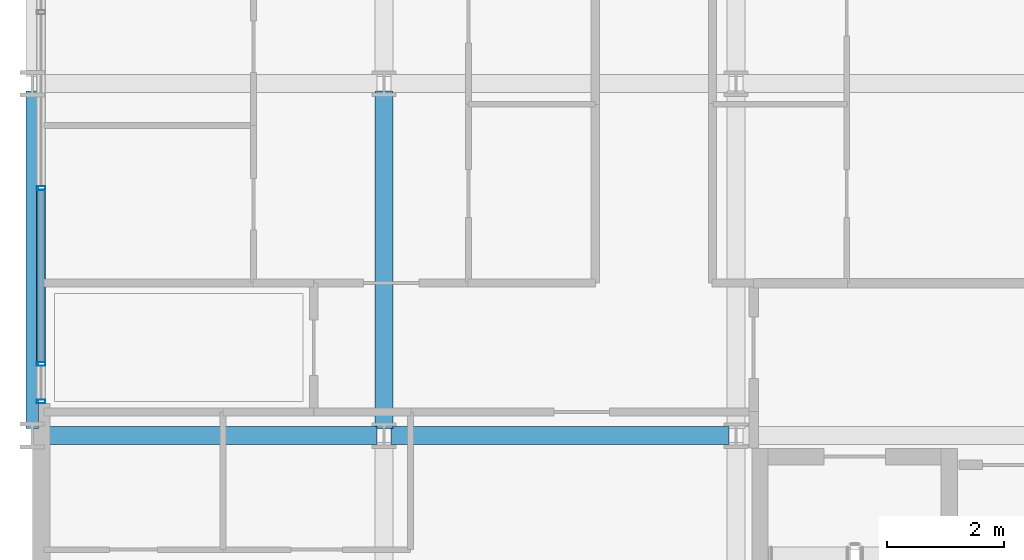
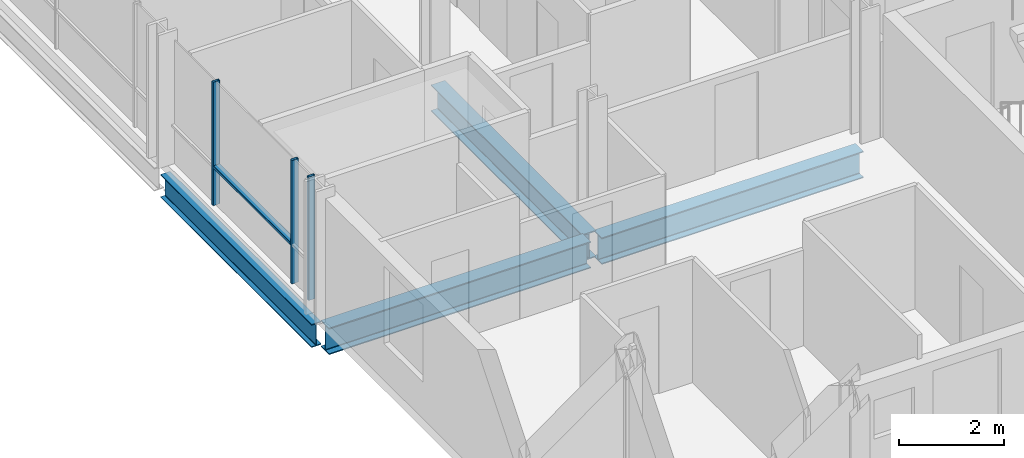
# One storey, part 2 of 41: 4 beams, 4 members, 1 element without a shape of its own.
"""IFC4 building model written with IfcOpenShell, lengths in metres."""

from ifc_helpers import new_model, si_unit, direction, frame, origin, origin_2d, place, context, subcontext, project, spatial, hollow_rectangle, i_section, extrude, material, layer, layer_set, material_profile, profile_set, type_object, element, aggregate, save


model = new_model("IFC4")

# Units and contexts
model_context = context("Model", 3, precision=1e-05, world=origin(), true_north=direction((0.0, 1.0)))
body_context = subcontext(model_context, "Body", "Model", "MODEL_VIEW")
ifc_project = project(units=[si_unit("LENGTHUNIT", "METRE"), si_unit("AREAUNIT", "SQUARE_METRE"), si_unit("VOLUMEUNIT", "CUBIC_METRE"), si_unit("PLANEANGLEUNIT", "RADIAN"), si_unit("MASSUNIT", "GRAM", prefix="KILO")], contexts=[model_context])

# Site, building, storey
site_placement = place(None, origin())
site = spatial("IfcSite", under=ifc_project, at=site_placement, CompositionType="ELEMENT")
building_placement = place(site_placement, origin())
building = spatial("IfcBuilding", under=site, at=building_placement, Name="Brevholm Reach", CompositionType="ELEMENT")
storey_placement = place(building_placement, frame((0.0, 0.0, 68.300048828125)))
storey = spatial("IfcBuildingStorey", under=building, at=storey_placement, Name="L19", CompositionType="ELEMENT", Elevation=68.300048828125)

# Beams
ifc_material_1 = material(Name="Structural Steel S355J2", Category="steel")
ifc_material_profile_1 = material_profile(ifc_material_1, i_section(OverallWidth=0.210693359375, OverallDepth=0.53955078125, WebThickness=0.01171875, FlangeThickness=0.018798828125, FilletRadius=0.0126953125, at=origin_2d()), Name="UKB 533x210x109")
ifc_profile_set_1 = profile_set([ifc_material_profile_1], Name="Structural Steel S355J2")
beam_type_1 = type_object("IfcBeamType", Name="BM-SP539", PredefinedType="SPANDREL", material=ifc_profile_set_1)
beam_placement = place(storey_placement, frame((0.0, 10.1201171875, -0.499755859375), z_axis=(0.0, 1.0, 0.0), x_axis=(-1.0, 0.0, 0.0)))
element("IfcBeam", 1, at=beam_placement, inside=storey, type_object=beam_type_1, Name="L19 SP-01B Framing Beam", PredefinedType="SPANDREL", context=body_context, shape_type="SweptSolid", body=[
    extrude(i_section(OverallWidth=0.210693359375, OverallDepth=0.53955078125, WebThickness=0.01171875, FlangeThickness=0.018798828125, FilletRadius=0.0126953125, at=origin_2d()), origin(), (0.0, 0.0, 1.0), 5.759765625),
])
ifc_material_2 = material(Name="Structural Steel S355J2", Category="steel")
ifc_material_profile_2 = material_profile(ifc_material_2, i_section(OverallWidth=0.30712890625, OverallDepth=0.6201171875, WebThickness=0.01416015625, FlangeThickness=0.023681640625, FilletRadius=0.0166015625, at=origin_2d()), Name="UKB 610x305x179")
ifc_profile_set_2 = profile_set([ifc_material_profile_2], Name="Structural Steel S355J2")
beam_type_2 = type_object("IfcBeamType", Name="BM-UKB610H", PredefinedType="USERDEFINED", material=ifc_profile_set_2)
for number, where, z_axis, x_axis, name in (
    (2, (0.1201171875, 10.0, -0.5400390625), (1.0, 0.0, 0.0), (0.0, 1.0, 0.0), "L19 G-06 Framing Beam"),
    (3, (6.1201171875, 10.0, -0.5400390625), (1.0, 0.0, 0.0), (0.0, 1.0, 0.0), "L19 G-06 Framing Beam"),
    (4, (6.0, 10.1201171875, -0.5400390625), (0.0, 1.0, 0.0), (-1.0, 0.0, 0.0), "L19 G-06 Framing Beam"),
):
    element("IfcBeam", number, at=place(storey_placement, frame(where, z_axis=z_axis, x_axis=x_axis)), inside=storey, type_object=beam_type_2, Name=name, ObjectType="GIRDER", PredefinedType="USERDEFINED", context=body_context, shape_type="SweptSolid", body=[
        extrude(i_section(OverallWidth=0.30712890625, OverallDepth=0.6201171875, WebThickness=0.01416015625, FlangeThickness=0.023681640625, FilletRadius=0.0166015625, at=origin_2d()), origin(), (0.0, 0.0, 1.0), 5.759765625),
    ])

# Curtain wall, members
ifc_material_3 = material(Name="Dark Anodised Aluminium 6063-T6 and Solar-Control Glass", Category="aluminium")
ifc_layer = layer(ifc_material_3, 0.14990234375)
ifc_layer_set = layer_set([ifc_layer], Name="Dark Anodised Aluminium 6063-T6 and Solar-Control Glass")
curtain_wall_type = type_object("IfcCurtainWallType", Name="CW-01", PredefinedType="NOTDEFINED", material=ifc_layer_set)
curtain_wall_placement = place(storey_placement, origin())
curtain_wall = element("IfcCurtainWall", 5, at=curtain_wall_placement, inside=storey, type_object=curtain_wall_type, Name="L19 Curtain Wall CW-01", PredefinedType="NOTDEFINED")
ifc_material_4 = material(Name="Dark Anodised Aluminium 6063-T6", Category="aluminium")
ifc_material_profile_3 = material_profile(ifc_material_4, hollow_rectangle(XDim=0.06494140625, YDim=0.14990234375, WallThickness=0.0048828125, InnerFilletRadius=0.0048828125, OuterFilletRadius=0.010009765625, at=origin_2d()), Name="RHS 150x65x5")
ifc_profile_set_3 = profile_set([ifc_material_profile_3], Name="Dark Anodised Aluminium 6063-T6")
member_type_1 = type_object("IfcMemberType", Name="CWM-150", PredefinedType="MULLION", material=ifc_profile_set_3)
member_1_placement = place(storey_placement, frame((0.14990234375, 14.219970703125, 0.0), z_axis=(0.0, 0.0, 1.0), x_axis=(0.0, -1.0, 0.0)))
member_1 = element("IfcMember", 6, at=member_1_placement, type_object=member_type_1, Name="CM-150 Mullion 4", PredefinedType="MULLION", context=body_context, shape_type="SweptSolid", body=[
    extrude(hollow_rectangle(XDim=0.06494140625, YDim=0.14990234375, WallThickness=0.0048828125, InnerFilletRadius=0.0048828125, OuterFilletRadius=0.010009765625, at=origin_2d()), origin(), (0.0, 0.0, 1.0), 2.869873046875),
])
member_2_placement = place(storey_placement, frame((0.14990234375, 11.219970703125, 0.0), z_axis=(0.0, 0.0, 1.0), x_axis=(0.0, -1.0, 0.0)))
member_2 = element("IfcMember", 7, at=member_2_placement, type_object=member_type_1, Name="CM-150 Mullion 5", PredefinedType="MULLION", context=body_context, shape_type="SweptSolid", body=[
    extrude(hollow_rectangle(XDim=0.06494140625, YDim=0.14990234375, WallThickness=0.0048828125, InnerFilletRadius=0.0048828125, OuterFilletRadius=0.010009765625, at=origin_2d()), origin(), (0.0, 0.0, 1.0), 2.869873046875),
])
member_3_placement = place(storey_placement, frame((0.14990234375, 10.58251953125, 0.0), z_axis=(0.0, 0.0, 1.0), x_axis=(0.0, -1.0, 0.0)))
member_3 = element("IfcMember", 8, at=member_3_placement, type_object=member_type_1, Name="CM-150 Mullion 6", PredefinedType="MULLION", context=body_context, shape_type="SweptSolid", body=[
    extrude(hollow_rectangle(XDim=0.06494140625, YDim=0.14990234375, WallThickness=0.0048828125, InnerFilletRadius=0.0048828125, OuterFilletRadius=0.010009765625, at=origin_2d()), origin(), (0.0, 0.0, 1.0), 2.869873046875),
])
ifc_material_5 = material(Name="Dark Anodised Aluminium 6063-T6", Category="aluminium")
ifc_material_profile_4 = material_profile(ifc_material_5, hollow_rectangle(XDim=0.06494140625, YDim=0.14990234375, WallThickness=0.0048828125, InnerFilletRadius=0.0048828125, OuterFilletRadius=0.010009765625, at=origin_2d()), Name="RHS 150x65x5")
ifc_profile_set_4 = profile_set([ifc_material_profile_4], Name="Dark Anodised Aluminium 6063-T6")
member_type_2 = type_object("IfcMemberType", Name="CWT-150", PredefinedType="NOTDEFINED", material=ifc_profile_set_4)
member_4_placement = place(storey_placement, frame((0.14990234375, 14.1875, 0.89990234375), z_axis=(0.0, -1.0, 0.0), x_axis=(0.0, 0.0, 1.0)))
member_4 = element("IfcMember", 9, at=member_4_placement, type_object=member_type_2, Name="CT-150 Transom 4.1", ObjectType="TRANSOM", PredefinedType="USERDEFINED", context=body_context, shape_type="SweptSolid", body=[
    extrude(hollow_rectangle(XDim=0.06494140625, YDim=0.14990234375, WallThickness=0.0048828125, InnerFilletRadius=0.0048828125, OuterFilletRadius=0.010009765625, at=origin_2d()), origin(), (0.0, 0.0, 1.0), 2.93505859375),
])
aggregate(curtain_wall, [member_1, member_2, member_3, member_4])

save(model, "model.ifc")
